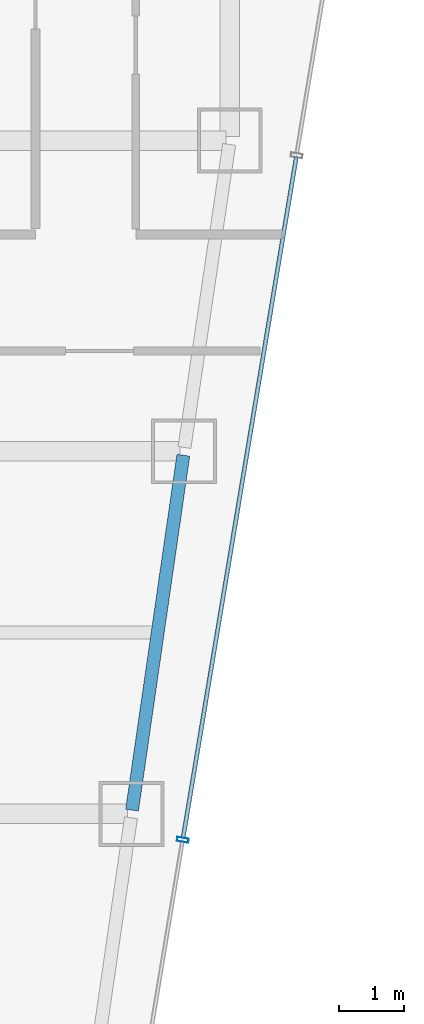
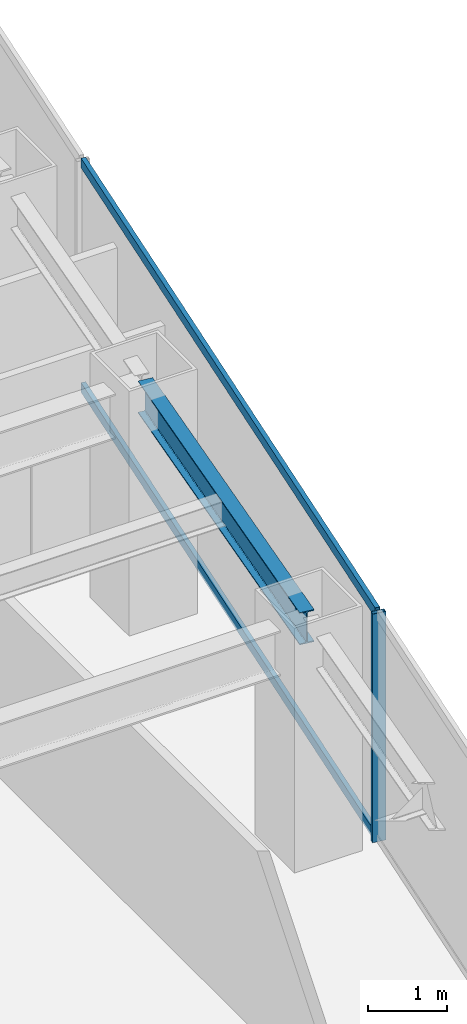
# One storey, part 18 of 37: 3 members, 1 beam, 1 element without a shape of its own.
"""IFC4 building model written with IfcOpenShell, lengths in metres."""

from ifc_helpers import new_model, si_unit, direction, frame, origin, origin_2d, place, context, subcontext, project, spatial, hollow_rectangle, i_section, extrude, material, material_profile, profile_set, type_object, element, aggregate, save


model = new_model("IFC4")

# Units and contexts
model_context = context("Model", 3, precision=1e-05, world=origin(), true_north=direction((0.0, 1.0)))
body_context = subcontext(model_context, "Body", "Model", "MODEL_VIEW")
ifc_project = project(units=[si_unit("LENGTHUNIT", "METRE"), si_unit("AREAUNIT", "SQUARE_METRE"), si_unit("VOLUMEUNIT", "CUBIC_METRE"), si_unit("PLANEANGLEUNIT", "RADIAN"), si_unit("MASSUNIT", "GRAM", prefix="KILO")], contexts=[model_context])

# Site, building, storey
site_placement = place(None, origin())
site = spatial("IfcSite", under=ifc_project, at=site_placement, CompositionType="ELEMENT")
building_placement = place(site_placement, origin())
building = spatial("IfcBuilding", under=site, at=building_placement, Name="Saevonmaru Cultural Tower", CompositionType="ELEMENT")
storey_placement = place(building_placement, frame((0.0, 0.0, 141.0)))
storey = spatial("IfcBuildingStorey", under=building, at=storey_placement, Name="L30", CompositionType="ELEMENT", Elevation=141.0)

# Beam
ifc_material_1 = material(Name="Steel SM355", Category="steel")
ifc_material_profile_1 = material_profile(ifc_material_1, i_section(OverallWidth=0.199951171875, OverallDepth=0.5, WebThickness=0.010009765625, FlangeThickness=0.01611328125, FilletRadius=0.02001953125, at=origin_2d()), Name="H-500x200x10x16")
ifc_profile_set_1 = profile_set([ifc_material_profile_1], Name="Steel SM355")
beam_type = type_object("IfcBeamType", Name="BM-SP-H500", PredefinedType="SPANDREL", material=ifc_profile_set_1)
beam_placement = place(storey_placement, frame((51.691650390625, 32.059326171875, 3.300048828125), z_axis=(0.142964121327, 0.989727871697, 0.0), x_axis=(-0.989727871697, 0.142964121327, 0.0)))
element("IfcBeam", 1, at=beam_placement, inside=storey, type_object=beam_type, Name="L30 East Splayed Spandrel 4", PredefinedType="SPANDREL", context=body_context, shape_type="SweptSolid", body=[
    extrude(i_section(OverallWidth=0.199951171875, OverallDepth=0.5, WebThickness=0.010009765625, FlangeThickness=0.01611328125, FilletRadius=0.02001953125, at=origin_2d()), origin(), (0.0, 0.0, 1.0), 5.5380859375),
])

# Curtain wall, members
ifc_material_2 = material(Name="Satin Bronze Anodised Aluminium", Category="aluminium")
curtain_wall_type = type_object("IfcCurtainWallType", Name="CW-TYP-A", PredefinedType="NOTDEFINED", material=ifc_material_2)
curtain_wall_placement = place(storey_placement, origin())
curtain_wall = element("IfcCurtainWall", 2, at=curtain_wall_placement, inside=storey, type_object=curtain_wall_type, Name="L30 Unitised Curtain Wall E8", PredefinedType="NOTDEFINED")
ifc_material_profile_2 = material_profile(ifc_material_2, hollow_rectangle(XDim=0.06494140625, YDim=0.179931640625, WallThickness=0.00390625, at=origin_2d()), Name="ALU-MULL-180x65x4")
ifc_profile_set_2 = profile_set([ifc_material_profile_2], Name="Satin Bronze Anodised Aluminium")
member_type_1 = type_object("IfcMemberType", Name="ML-CW-180x65", PredefinedType="MULLION", material=ifc_profile_set_2)
member_1_placement = place(storey_placement, frame((52.4755859375, 31.60009765625, 0.0), z_axis=(0.0, 0.0, 1.0), x_axis=(0.163998702345, 0.986460554523, 0.0)))
member_1 = element("IfcMember", 3, at=member_1_placement, type_object=member_type_1, Name="CW-TW-L30-E8 mullion 3", PredefinedType="MULLION", context=body_context, shape_type="SweptSolid", body=[
    extrude(hollow_rectangle(XDim=0.06494140625, YDim=0.179931640625, WallThickness=0.00390625, at=origin_2d()), origin(), (0.0, 0.0, 1.0), 3.550048828125),
])
ifc_material_profile_3 = material_profile(ifc_material_2, hollow_rectangle(XDim=0.06494140625, YDim=0.14990234375, WallThickness=0.00390625, at=origin_2d()), Name="ALU-TRAN-150x65x4")
ifc_profile_set_3 = profile_set([ifc_material_profile_3], Name="Satin Bronze Anodised Aluminium")
member_type_2 = type_object("IfcMemberType", Name="TR-CW-150x65", PredefinedType="USERDEFINED", material=ifc_profile_set_3)
member_2_placement = place(storey_placement, frame((52.48095703125, 31.632080078125, 0.032470703125), z_axis=(0.163990079074, 0.9864619881, 0.0), x_axis=(-0.9864619881, 0.163990079074, 0.0)))
member_2 = element("IfcMember", 4, at=member_2_placement, type_object=member_type_2, Name="CW-TW-L30-E8 transom 3.1", ObjectType="TRANSOM", PredefinedType="USERDEFINED", context=body_context, shape_type="SweptSolid", body=[
    extrude(hollow_rectangle(XDim=0.06494140625, YDim=0.14990234375, WallThickness=0.00390625, at=origin_2d()), origin(), (0.0, 0.0, 1.0), 10.650634765625),
])
member_3_placement = place(storey_placement, frame((52.48095703125, 31.632080078125, 3.517578125), z_axis=(0.163990079074, 0.9864619881, 0.0), x_axis=(-0.9864619881, 0.163990079074, 0.0)))
member_3 = element("IfcMember", 5, at=member_3_placement, type_object=member_type_2, Name="CW-TW-L30-E8 transom 3.2", ObjectType="TRANSOM", PredefinedType="USERDEFINED", context=body_context, shape_type="SweptSolid", body=[
    extrude(hollow_rectangle(XDim=0.06494140625, YDim=0.14990234375, WallThickness=0.00390625, at=origin_2d()), origin(), (0.0, 0.0, 1.0), 10.650634765625),
])
aggregate(curtain_wall, [member_1, member_2, member_3])

save(model, "model.ifc")
